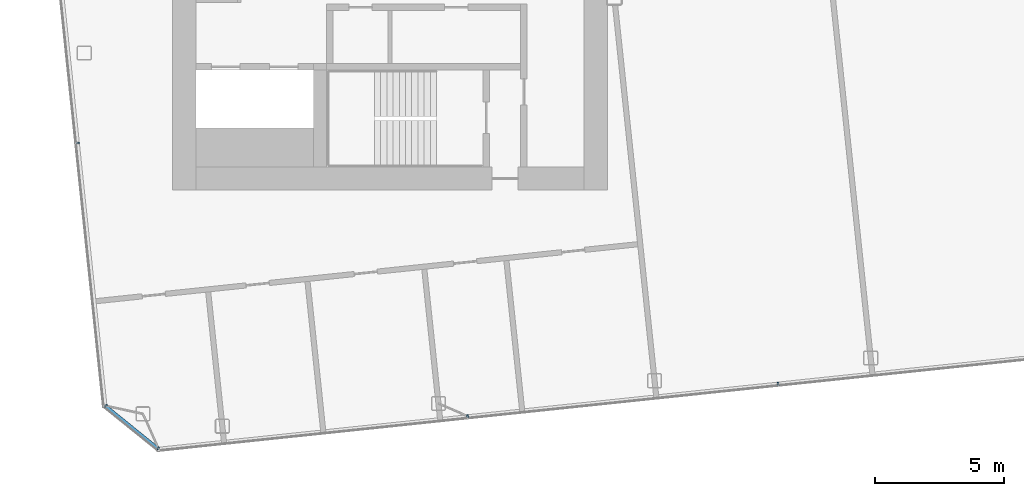
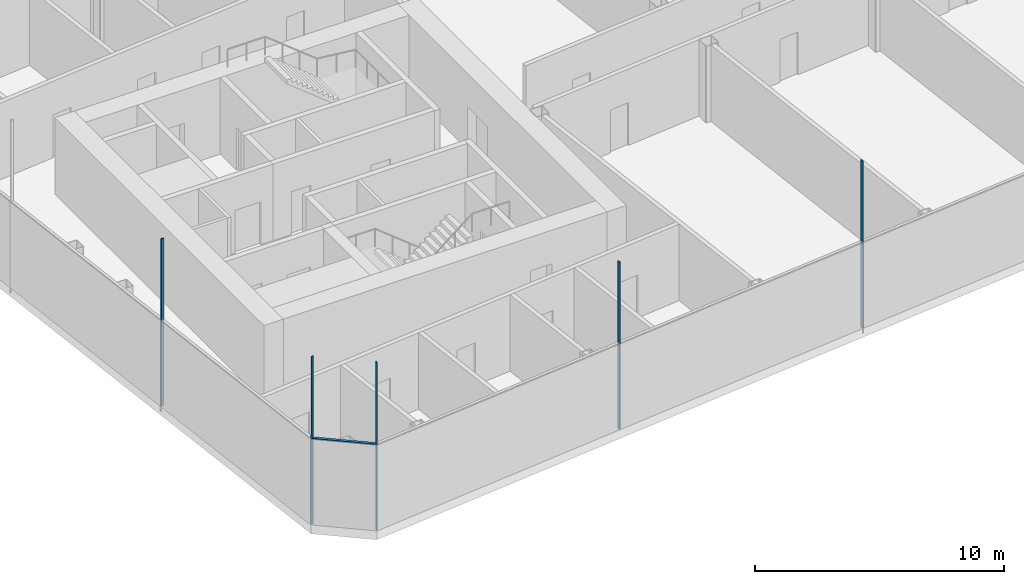
# One storey, part 3 of 41: 6 members, 3 elements without a shape of their own.
"""IFC4 building model written with IfcOpenShell, lengths in metres."""

from ifc_helpers import new_model, si_unit, direction, frame, origin, origin_2d, place, context, subcontext, project, spatial, rectangle, extrude, material, layer, layer_set, material_profile, profile_set, type_object, element, aggregate, save


model = new_model("IFC4")

# Units and contexts
model_context = context("Model", 3, precision=1e-05, world=origin(), true_north=direction((0.0, 1.0)))
body_context = subcontext(model_context, "Body", "Model", "MODEL_VIEW")
ifc_project = project(units=[si_unit("LENGTHUNIT", "METRE"), si_unit("AREAUNIT", "SQUARE_METRE"), si_unit("VOLUMEUNIT", "CUBIC_METRE"), si_unit("PLANEANGLEUNIT", "RADIAN"), si_unit("MASSUNIT", "GRAM", prefix="KILO")], contexts=[model_context])

# Site, building, storey
site_placement = place(None, origin())
site = spatial("IfcSite", under=ifc_project, at=site_placement, CompositionType="ELEMENT")
building_placement = place(site_placement, origin())
building = spatial("IfcBuilding", under=site, at=building_placement, Name="Hakoniwa Tower and Hamabe Station Hall", CompositionType="ELEMENT")
storey_placement = place(building_placement, frame((0.0, 0.0, 276.60009765625)))
storey = spatial("IfcBuildingStorey", under=building, at=storey_placement, Name="L77", CompositionType="ELEMENT", Elevation=276.60009765625)

# Curtain wall, members
ifc_material_1 = material(Name="Dark low-e laminated glass", Category="glass")
ifc_layer = layer(ifc_material_1, 0.199951171875)
ifc_layer_set = layer_set([ifc_layer], Name="CW-4 CROWN FACETS")
curtain_wall_type = type_object("IfcCurtainWallType", Name="CW-4 CROWN FACETS", PredefinedType="NOTDEFINED", material=ifc_layer_set)
curtain_wall_1_placement = place(storey_placement, origin())
curtain_wall_1 = element("IfcCurtainWall", 1, at=curtain_wall_1_placement, inside=storey, type_object=curtain_wall_type, Name="Crown skirt facet L77", PredefinedType="NOTDEFINED")
ifc_material_2 = material(Name="Aluminium 6063-T5 black anodised", Category="aluminium")
ifc_material_profile = material_profile(ifc_material_2, rectangle(XDim=0.06005859375, YDim=0.1201171875, at=origin_2d()), Name="CW-4 GLAZING BAR 60X120")
ifc_profile_set = profile_set([ifc_material_profile], Name="Aluminium 6063-T5 black anodised")
member_type = type_object("IfcMemberType", Name="CW-4 GLAZING BAR 60X120", PredefinedType="MULLION", material=ifc_profile_set)
member_1_placement = place(storey_placement, frame((-37.265625, -6.574951171875, 0.0), z_axis=(0.0, 0.0, 1.0), x_axis=(-0.104528443376, 0.994521897459, 0.0)))
member_1 = element("IfcMember", 2, at=member_1_placement, type_object=member_type, Name="Crown glazing bar", PredefinedType="MULLION", context=body_context, shape_type="SweptSolid", body=[
    extrude(rectangle(XDim=0.06005859375, YDim=0.1201171875, at=origin_2d()), origin(), (0.0, 0.0, 1.0), 8.199951171875),
])
member_2_placement = place(storey_placement, frame((-36.181396484375, -16.733154296875, 0.0), z_axis=(0.000714561954, 0.000357280977, 0.999999680876), x_axis=(-0.477158929318, 0.878816740419, -0.000313984604)))
member_2 = element("IfcMember", 3, at=member_2_placement, type_object=member_type, Name="Crown glazing bar", PredefinedType="MULLION", context=body_context, shape_type="SweptSolid", body=[
    extrude(rectangle(XDim=0.06005859375, YDim=0.1201171875, at=origin_2d()), origin(), (0.0, 0.0, 1.0), 8.199951171875),
])
aggregate(curtain_wall_1, [member_1, member_2])

# Curtain wall, member
curtain_wall_2_placement = place(storey_placement, origin())
curtain_wall_2 = element("IfcCurtainWall", 4, at=curtain_wall_2_placement, inside=storey, type_object=curtain_wall_type, Name="Crown skirt facet L77", PredefinedType="NOTDEFINED")
member_3_placement = place(storey_placement, frame((-34.150634765625, -18.377685546875, 0.0), z_axis=(0.001131389336, 0.000327507439, 0.999999306348), x_axis=(-0.958819897507, 0.284014598636, -9.3016958e-05)))
member_3 = element("IfcMember", 5, at=member_3_placement, type_object=member_type, Name="Crown glazing bar", PredefinedType="MULLION", context=body_context, shape_type="SweptSolid", body=[
    extrude(rectangle(XDim=0.06005859375, YDim=0.1201171875, at=origin_2d()), origin(), (0.0, 0.0, 1.0), 8.199951171875),
])

# Curtain wall, members
curtain_wall_3_placement = place(storey_placement, origin())
curtain_wall_3 = element("IfcCurtainWall", 6, at=curtain_wall_3_placement, inside=storey, type_object=curtain_wall_type, Name="Crown skirt facet L77", PredefinedType="NOTDEFINED")
member_4_placement = place(storey_placement, frame((-22.195556640625, -17.1376953125, 0.0), z_axis=(0.0, 0.0, 1.0), x_axis=(-0.994521896233, -0.10452845504, 0.0)))
member_4 = element("IfcMember", 7, at=member_4_placement, type_object=member_type, Name="Crown glazing bar", PredefinedType="MULLION", context=body_context, shape_type="SweptSolid", body=[
    extrude(rectangle(XDim=0.06005859375, YDim=0.1201171875, at=origin_2d()), origin(), (0.0, 0.0, 1.0), 8.199951171875),
])
member_5_placement = place(storey_placement, frame((-10.1982421875, -15.876708984375, 0.0), z_axis=(0.0, 0.0, 1.0), x_axis=(-0.994521896233, -0.10452845504, 0.0)))
member_5 = element("IfcMember", 8, at=member_5_placement, type_object=member_type, Name="Crown glazing bar", PredefinedType="MULLION", context=body_context, shape_type="SweptSolid", body=[
    extrude(rectangle(XDim=0.06005859375, YDim=0.1201171875, at=origin_2d()), origin(), (0.0, 0.0, 1.0), 8.199951171875),
])
aggregate(curtain_wall_3, [member_4, member_5])

# Member
member_6_placement = place(storey_placement, frame((-36.197021484375, -16.74169921875, 4.199951171875), z_axis=(0.777127973546, -0.629342603621, 0.0), x_axis=(0.0, 0.0, 1.0)))
member_6 = element("IfcMember", 9, at=member_6_placement, type_object=member_type, Name="Crown glazing bar", PredefinedType="MULLION", context=body_context, shape_type="SweptSolid", body=[
    extrude(rectangle(XDim=0.06005859375, YDim=0.1201171875, at=origin_2d()), origin(), (0.0, 0.0, 1.0), 2.626708984375),
])

aggregate(curtain_wall_2, [member_3, member_6])

save(model, "model.ifc")
